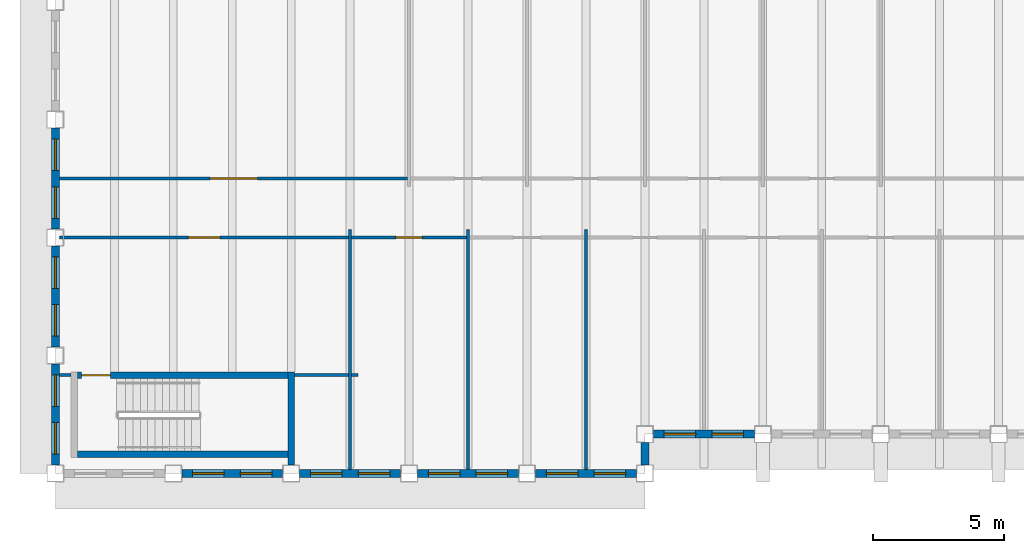
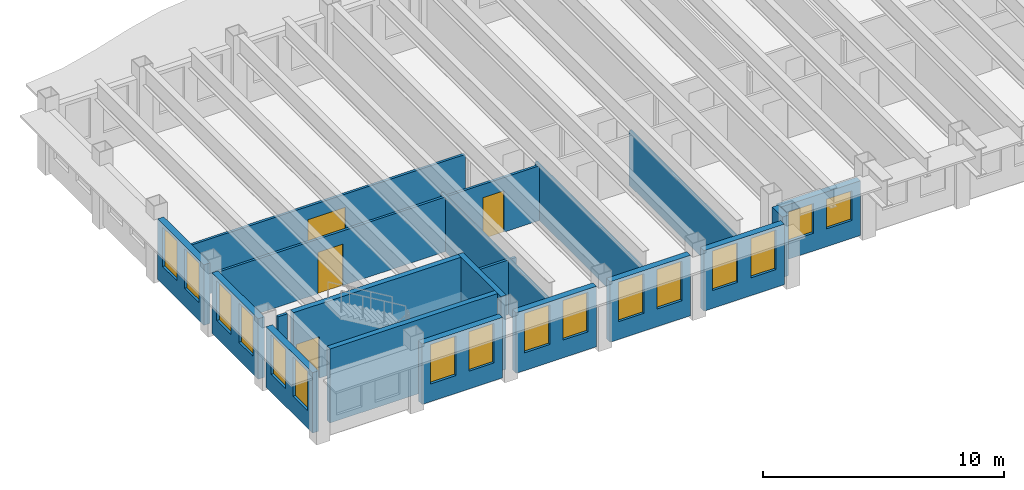
# One storey, part 2 of 12: 21 walls, 16 windows, 4 doors, 20 openings.
"""IFC4 building model written with IfcOpenShell, lengths in metres."""

from ifc_helpers import new_model, si_unit, direction, frame, frame_2d, origin, place, context, subcontext, project, spatial, rectangle, extrude, material, layer, layer_set, type_object, element, fill, save


model = new_model("IFC4")

# Units and contexts
model_context = context("Model", 3, precision=1e-05, world=origin(), true_north=direction((0.0, 1.0)))
body_context = subcontext(model_context, "Body", "Model", "MODEL_VIEW")
ifc_project = project(units=[si_unit("LENGTHUNIT", "METRE"), si_unit("AREAUNIT", "SQUARE_METRE"), si_unit("VOLUMEUNIT", "CUBIC_METRE"), si_unit("PLANEANGLEUNIT", "RADIAN"), si_unit("MASSUNIT", "GRAM", prefix="KILO")], contexts=[model_context])

# Site, building, storey
site_placement = place(None, origin())
site = spatial("IfcSite", under=ifc_project, at=site_placement, CompositionType="ELEMENT")
building_placement = place(site_placement, origin())
building = spatial("IfcBuilding", under=site, at=building_placement, Name="Sennacour Bend Tower", CompositionType="ELEMENT")
storey_placement = place(building_placement, frame((0.0, 0.0, 293.0)))
storey = spatial("IfcBuildingStorey", under=building, at=storey_placement, Name="L68", CompositionType="ELEMENT", Elevation=293.0)

# Walls
ifc_material_1 = material(Name="Plasterboard partition on steel studs", Category="steel")
ifc_layer_1 = layer(ifc_material_1, 0.1201171875, Name="Plasterboard partition on steel studs", Category="steel")
ifc_layer_set_1 = layer_set([ifc_layer_1], Name="Plasterboard partition on steel studs")
wall_type_1 = type_object("IfcWallType", Name="Partition 120", PredefinedType="PARTITIONING", material=ifc_layer_set_1)
for number, where, z_axis, x_axis, name in (
    (1, (11.25, 0.14990234375, 0.0), (0.0, 0.0, 1.0), (0.0, 1.0, 0.0), "P-L68-W004a"),
    (2, (15.75, 0.14990234375, 0.0), (0.0, 0.0, 1.0), (0.0, 1.0, 0.0), "P-L68-W006a"),
    (3, (20.25, 0.14990234375, 0.0), (0.0, 0.0, 1.0), (0.0, 1.0, 0.0), "P-L68-W008a"),
):
    element("IfcWall", number, at=place(storey_placement, frame(where, z_axis=z_axis, x_axis=x_axis)), inside=storey, type_object=wall_type_1, Name=name, PredefinedType="PARTITIONING", context=body_context, shape_type="SweptSolid", body=[
        extrude(rectangle(XDim=9.150146484375, YDim=0.1201171875, at=frame_2d((4.5751953125, 0.0))), origin(), (0.0, 0.0, 1.0), 2.77001953125),
    ])
wall_1_placement = place(storey_placement, frame((0.14990234375, 3.75, 0.0), z_axis=(0.0, 0.0, 1.0), x_axis=(1.0, 0.0, 0.0)))
element("IfcWall", 4, at=wall_1_placement, inside=storey, type_object=wall_type_1, Name="P-L68-W033a", PredefinedType="PARTITIONING", context=body_context, shape_type="SweptSolid", body=[
    extrude(rectangle(XDim=0.4501953125, YDim=0.1201171875, at=frame_2d((0.22509765625, 0.0))), origin(), (0.0, 0.0, 1.0), 3.75),
])
wall_2_placement = place(storey_placement, frame((9.125, 3.75, 0.0), z_axis=(0.0, 0.0, 1.0), x_axis=(1.0, 0.0, 0.0)))
element("IfcWall", 5, at=wall_2_placement, inside=storey, type_object=wall_type_1, Name="P-L68-W035aa", PredefinedType="PARTITIONING", context=body_context, shape_type="SweptSolid", body=[
    extrude(rectangle(XDim=2.06494140625, YDim=0.1201171875, at=frame_2d((1.032470703125, 0.0))), origin(), (0.0, 0.0, 1.0), 2.77001953125),
])
wall_3_placement = place(storey_placement, frame((11.31005859375, 3.75, 0.0), z_axis=(0.0, 0.0, 1.0), x_axis=(1.0, 0.0, 0.0)))
element("IfcWall", 6, at=wall_3_placement, inside=storey, type_object=wall_type_1, Name="P-L68-W035ab", PredefinedType="PARTITIONING", context=body_context, shape_type="SweptSolid", body=[
    extrude(rectangle(XDim=0.239990234375, YDim=0.1201171875, at=frame_2d((0.1201171875, 0.0))), origin(), (0.0, 0.0, 1.0), 2.77001953125),
])

# Wall, opening, door
wall_4_placement = place(storey_placement, frame((11.31005859375, 9.0, 0.0), z_axis=(0.0, 0.0, 1.0), x_axis=(1.0, 0.0, 0.0)))
wall_4 = element("IfcWall", 7, at=wall_4_placement, inside=storey, type_object=wall_type_1, Name="P-L68-W041ab", PredefinedType="PARTITIONING", context=body_context, shape_type="SweptSolid", body=[
    extrude(rectangle(XDim=4.3798828125, YDim=0.1201171875, at=frame_2d((2.18994140625, 0.0))), origin(), (0.0, 0.0, 1.0), 2.77001953125),
])
opening_1_placement = place(wall_4_placement, frame((1.68994140625, 0.0, 0.0)))
opening_1 = element("IfcOpeningElement", 8, at=opening_1_placement, cuts=wall_4, Name="Opening OD2", PredefinedType="OPENING", context=body_context, shape_type="SweptSolid", body=[
    extrude(rectangle(XDim=1.0, YDim=2.10009765625, at=frame_2d((0.5, 1.050048828125))), frame((0.0, 0.070068359375, 0.0), z_axis=(0.0, -1.0, 0.0), x_axis=(1.0, 0.0, 0.0)), (0.0, 0.0, 1.0), 0.14013671875),
])
ifc_material_2 = material(Name="Timber", Category="wood")
door_type_1 = type_object("IfcDoorType", Name="DR-OFFICE-1000", OperationType="NOTDEFINED", PredefinedType="DOOR", material=ifc_material_2)
door_1_placement = place(opening_1_placement, origin())
door_1 = element("IfcDoor", 9, at=door_1_placement, inside=storey, type_object=door_type_1, Name="Door", OperationType="SINGLE_SWING_LEFT", OverallHeight=2.10009765625, OverallWidth=1.0, PredefinedType="DOOR", context=body_context, shape_type="SweptSolid", body=[
    extrude(rectangle(XDim=1.0, YDim=2.10009765625, at=frame_2d((0.5, 1.050048828125))), frame((0.0, 0.02490234375, 0.0), z_axis=(0.0, -1.0, 0.0), x_axis=(1.0, 0.0, 0.0)), (0.0, 0.0, 1.0), 0.050048828125),
])
fill(opening_1, door_1)

wall_5_placement = place(storey_placement, frame((0.14990234375, 11.25, 0.0), z_axis=(0.0, 0.0, 1.0), x_axis=(1.0, 0.0, 0.0)))
wall_5 = element("IfcWall", 10, at=wall_5_placement, inside=storey, type_object=wall_type_1, Name="P-L68-W043aa", PredefinedType="PARTITIONING", context=body_context, shape_type="SweptSolid", body=[
    extrude(rectangle(XDim=13.2900390625, YDim=0.1201171875, at=frame_2d((6.64501953125, 0.0))), origin(), (0.0, 0.0, 1.0), 2.77001953125),
])
opening_2_placement = place(wall_5_placement, frame((5.755126953125, 0.0, 0.0)))
opening_2 = element("IfcOpeningElement", 11, at=opening_2_placement, cuts=wall_5, Name="Opening OD3", PredefinedType="OPENING", context=body_context, shape_type="SweptSolid", body=[
    extrude(rectangle(XDim=1.800048828125, YDim=2.10009765625, at=frame_2d((0.89990234375, 1.050048828125))), frame((0.0, 0.070068359375, 0.0), z_axis=(0.0, -1.0, 0.0), x_axis=(1.0, 0.0, 0.0)), (0.0, 0.0, 1.0), 0.14013671875),
])
door_type_2 = type_object("IfcDoorType", Name="DR-OFFICE-1800", OperationType="NOTDEFINED", PredefinedType="DOOR", material=ifc_material_2)
door_2_placement = place(opening_2_placement, origin())
door_2 = element("IfcDoor", 12, at=door_2_placement, inside=storey, type_object=door_type_2, Name="Door", OperationType="DOUBLE_DOOR_SINGLE_SWING", OverallHeight=2.10009765625, OverallWidth=1.800048828125, PredefinedType="DOOR", context=body_context, shape_type="SweptSolid", body=[
    extrude(rectangle(XDim=1.800048828125, YDim=2.10009765625, at=frame_2d((0.89990234375, 1.050048828125))), frame((0.0, 0.02490234375, 0.0), z_axis=(0.0, -1.0, 0.0), x_axis=(1.0, 0.0, 0.0)), (0.0, 0.0, 1.0), 0.050048828125),
])
fill(opening_2, door_2)

ifc_layer_2 = layer(ifc_material_1, 0.1201171875, Name="Plasterboard partition on steel studs", Category="steel")
ifc_layer_set_2 = layer_set([ifc_layer_2], Name="Plasterboard partition on steel studs")
wall_type_2 = type_object("IfcWallType", Name="Partition 120 EI 30", PredefinedType="PARTITIONING", material=ifc_layer_set_2)
wall_6_placement = place(storey_placement, frame((0.14990234375, 9.0, 0.0), z_axis=(0.0, 0.0, 1.0), x_axis=(1.0, 0.0, 0.0)))
wall_6 = element("IfcWall", 13, at=wall_6_placement, inside=storey, type_object=wall_type_2, Name="P-L68-W041aa", PredefinedType="PARTITIONING", context=body_context, shape_type="SweptSolid", body=[
    extrude(rectangle(XDim=11.0400390625, YDim=0.1201171875, at=frame_2d((5.52001953125, 0.0))), origin(), (0.0, 0.0, 1.0), 2.77001953125),
])
opening_3_placement = place(wall_6_placement, frame((4.93017578125, 0.0, 0.0)))
opening_3 = element("IfcOpeningElement", 14, at=opening_3_placement, cuts=wall_6, Name="Opening KD2", PredefinedType="OPENING", context=body_context, shape_type="SweptSolid", body=[
    extrude(rectangle(XDim=1.199951171875, YDim=2.10009765625, at=frame_2d((0.60009765625, 1.050048828125))), frame((0.0, 0.070068359375, 0.0), z_axis=(0.0, -1.0, 0.0), x_axis=(1.0, 0.0, 0.0)), (0.0, 0.0, 1.0), 0.14013671875),
])
ifc_material_3 = material(Name="Painted steel", Category="steel")
door_type_3 = type_object("IfcDoorType", Name="DR-CORRIDOR-1200", OperationType="NOTDEFINED", PredefinedType="DOOR", material=ifc_material_3)
door_3_placement = place(opening_3_placement, origin())
door_3 = element("IfcDoor", 15, at=door_3_placement, inside=storey, type_object=door_type_3, Name="Door", OperationType="SINGLE_SWING_RIGHT", OverallHeight=2.10009765625, OverallWidth=1.199951171875, PredefinedType="DOOR", context=body_context, shape_type="SweptSolid", body=[
    extrude(rectangle(XDim=1.199951171875, YDim=2.10009765625, at=frame_2d((0.60009765625, 1.050048828125))), frame((0.0, 0.02490234375, 0.0), z_axis=(0.0, -1.0, 0.0), x_axis=(1.0, 0.0, 0.0)), (0.0, 0.0, 1.0), 0.050048828125),
])
fill(opening_3, door_3)

# Wall
ifc_material_4 = material(Name="Warm limestone cladding", Category="masonry")
ifc_layer_3 = layer(ifc_material_4, 0.050048828125, Name="Warm limestone cladding", Category="masonry")
ifc_material_5 = material(Name="Precast concrete C40/50", Category="concrete")
ifc_layer_4 = layer(ifc_material_5, 0.25, Name="Precast concrete C40/50", Category="concrete")
ifc_layer_set_3 = layer_set([ifc_layer_3, ifc_layer_4], Name="Precast concrete C40/50 with limestone cladding")
wall_type_3 = type_object("IfcWallType", Name="STONE-CLAD PRECAST SPANDREL 300", PredefinedType="STANDARD", material=ifc_layer_set_3)
wall_7_placement = place(storey_placement, frame((22.5, 0.324951171875, 0.0), z_axis=(0.0, 0.0, 1.0), x_axis=(0.0, 1.0, 0.0)))
element("IfcWall", 16, at=wall_7_placement, inside=storey, type_object=wall_type_3, Name="Stone spandrel and pier wall L68 00.00", PredefinedType="STANDARD", context=body_context, shape_type="SweptSolid", body=[
    extrude(rectangle(XDim=0.85009765625, YDim=0.300048828125, at=frame_2d((0.425048828125, 0.0))), origin(), (0.0, 0.0, 1.0), 3.06201171875),
])

# Wall, openings, windows
wall_8_placement = place(storey_placement, frame((22.824951171875, 1.5, 0.0), z_axis=(0.0, 0.0, 1.0), x_axis=(1.0, 0.0, 0.0)))
wall_8 = element("IfcWall", 17, at=wall_8_placement, inside=storey, type_object=wall_type_3, Name="Stone spandrel and pier wall L68 01.00", PredefinedType="STANDARD", context=body_context, shape_type="SweptSolid", body=[
    extrude(rectangle(XDim=3.85009765625, YDim=0.300048828125, at=frame_2d((1.925048828125, 0.0))), origin(), (0.0, 0.0, 1.0), 2.77001953125),
])
opening_4_placement = place(wall_8_placement, frame((0.41259765625, 0.0, 0.89990234375)))
opening_4 = element("IfcOpeningElement", 18, at=opening_4_placement, cuts=wall_8, Name="Opening W25", PredefinedType="OPENING", context=body_context, shape_type="SweptSolid", body=[
    extrude(rectangle(XDim=1.199951171875, YDim=1.5, at=frame_2d((0.60009765625, 0.75))), frame((0.0, 0.16015625, 0.0), z_axis=(0.0, -1.0, 0.0), x_axis=(1.0, 0.0, 0.0)), (0.0, 0.0, 1.0), 0.320068359375),
])
opening_5_placement = place(wall_8_placement, frame((2.237548828125, 0.0, 0.89990234375)))
opening_5 = element("IfcOpeningElement", 19, at=opening_5_placement, cuts=wall_8, Name="Opening W25", PredefinedType="OPENING", context=body_context, shape_type="SweptSolid", body=[
    extrude(rectangle(XDim=1.199951171875, YDim=1.5, at=frame_2d((0.60009765625, 0.75))), frame((0.0, 0.16015625, 0.0), z_axis=(0.0, -1.0, 0.0), x_axis=(1.0, 0.0, 0.0)), (0.0, 0.0, 1.0), 0.320068359375),
])
ifc_material_6 = material(Name="Clear low-emissivity glass", Category="glass")
window_type_1 = type_object("IfcWindowType", Name="WIN-RIBBON-1200x1500", PartitioningType="SINGLE_PANEL", PredefinedType="WINDOW", material=ifc_material_6)
window_1_placement = place(opening_4_placement, origin())
window_1 = element("IfcWindow", 20, at=window_1_placement, inside=storey, type_object=window_type_1, Name="Ribbon window L68 01.00.0", OverallHeight=1.5, OverallWidth=1.199951171875, PartitioningType="SINGLE_PANEL", PredefinedType="WINDOW", context=body_context, shape_type="SweptSolid", body=[
    extrude(rectangle(XDim=1.199951171875, YDim=1.5, at=frame_2d((0.60009765625, 0.75))), frame((0.0, 0.030029296875, 0.0), z_axis=(0.0, -1.0, 0.0), x_axis=(1.0, 0.0, 0.0)), (0.0, 0.0, 1.0), 0.06005859375),
])
fill(opening_4, window_1)
window_2_placement = place(opening_5_placement, origin())
window_2 = element("IfcWindow", 21, at=window_2_placement, inside=storey, type_object=window_type_1, Name="Ribbon window L68 01.00.1", OverallHeight=1.5, OverallWidth=1.199951171875, PartitioningType="SINGLE_PANEL", PredefinedType="WINDOW", context=body_context, shape_type="SweptSolid", body=[
    extrude(rectangle(XDim=1.199951171875, YDim=1.5, at=frame_2d((0.60009765625, 0.75))), frame((0.0, 0.030029296875, 0.0), z_axis=(0.0, -1.0, 0.0), x_axis=(1.0, 0.0, 0.0)), (0.0, 0.0, 1.0), 0.06005859375),
])
fill(opening_5, window_2)

wall_9_placement = place(storey_placement, frame((0.0, 13.175048828125, 0.0), z_axis=(0.0, 0.0, 1.0), x_axis=(0.0, -1.0, 0.0)))
wall_9 = element("IfcWall", 22, at=wall_9_placement, inside=storey, type_object=wall_type_3, Name="Stone spandrel and pier wall L68 10.02", PredefinedType="STANDARD", context=body_context, shape_type="SweptSolid", body=[
    extrude(rectangle(XDim=3.85009765625, YDim=0.300048828125, at=frame_2d((1.925048828125, 0.0))), origin(), (0.0, 0.0, 1.0), 3.06201171875),
])
opening_6_placement = place(wall_9_placement, frame((0.41259765625, 0.0, 0.89990234375)))
opening_6 = element("IfcOpeningElement", 23, at=opening_6_placement, cuts=wall_9, Name="Opening W14", PredefinedType="OPENING", context=body_context, shape_type="SweptSolid", body=[
    extrude(rectangle(XDim=1.199951171875, YDim=2.0, at=frame_2d((0.60009765625, 1.0))), frame((0.0, 0.16015625, 0.0), z_axis=(0.0, -1.0, 0.0), x_axis=(1.0, 0.0, 0.0)), (0.0, 0.0, 1.0), 0.320068359375),
])
opening_7_placement = place(wall_9_placement, frame((2.237548828125, 0.0, 0.89990234375)))
opening_7 = element("IfcOpeningElement", 24, at=opening_7_placement, cuts=wall_9, Name="Opening W14", PredefinedType="OPENING", context=body_context, shape_type="SweptSolid", body=[
    extrude(rectangle(XDim=1.199951171875, YDim=2.0, at=frame_2d((0.60009765625, 1.0))), frame((0.0, 0.16015625, 0.0), z_axis=(0.0, -1.0, 0.0), x_axis=(1.0, 0.0, 0.0)), (0.0, 0.0, 1.0), 0.320068359375),
])
window_type_2 = type_object("IfcWindowType", Name="WIN-RIBBON-1200x2000", PartitioningType="SINGLE_PANEL", PredefinedType="WINDOW", material=ifc_material_6)
window_3_placement = place(opening_6_placement, origin())
window_3 = element("IfcWindow", 25, at=window_3_placement, inside=storey, type_object=window_type_2, Name="Ribbon window L68 10.02.0", OverallHeight=2.0, OverallWidth=1.199951171875, PartitioningType="SINGLE_PANEL", PredefinedType="WINDOW", context=body_context, shape_type="SweptSolid", body=[
    extrude(rectangle(XDim=1.199951171875, YDim=2.0, at=frame_2d((0.60009765625, 1.0))), frame((0.0, 0.030029296875, 0.0), z_axis=(0.0, -1.0, 0.0), x_axis=(1.0, 0.0, 0.0)), (0.0, 0.0, 1.0), 0.06005859375),
])
fill(opening_6, window_3)
window_4_placement = place(opening_7_placement, origin())
window_4 = element("IfcWindow", 26, at=window_4_placement, inside=storey, type_object=window_type_2, Name="Ribbon window L68 10.02.1", OverallHeight=2.0, OverallWidth=1.199951171875, PartitioningType="SINGLE_PANEL", PredefinedType="WINDOW", context=body_context, shape_type="SweptSolid", body=[
    extrude(rectangle(XDim=1.199951171875, YDim=2.0, at=frame_2d((0.60009765625, 1.0))), frame((0.0, 0.030029296875, 0.0), z_axis=(0.0, -1.0, 0.0), x_axis=(1.0, 0.0, 0.0)), (0.0, 0.0, 1.0), 0.06005859375),
])
fill(opening_7, window_4)

wall_10_placement = place(storey_placement, frame((0.0, 8.675048828125, 0.0), z_axis=(0.0, 0.0, 1.0), x_axis=(0.0, -1.0, 0.0)))
wall_10 = element("IfcWall", 27, at=wall_10_placement, inside=storey, type_object=wall_type_3, Name="Stone spandrel and pier wall L68 10.03", PredefinedType="STANDARD", context=body_context, shape_type="SweptSolid", body=[
    extrude(rectangle(XDim=3.85009765625, YDim=0.300048828125, at=frame_2d((1.925048828125, 0.0))), origin(), (0.0, 0.0, 1.0), 3.06201171875),
])
opening_8_placement = place(wall_10_placement, frame((0.41259765625, 0.0, 0.89990234375)))
opening_8 = element("IfcOpeningElement", 28, at=opening_8_placement, cuts=wall_10, Name="Opening W14", PredefinedType="OPENING", context=body_context, shape_type="SweptSolid", body=[
    extrude(rectangle(XDim=1.199951171875, YDim=2.0, at=frame_2d((0.60009765625, 1.0))), frame((0.0, 0.16015625, 0.0), z_axis=(0.0, -1.0, 0.0), x_axis=(1.0, 0.0, 0.0)), (0.0, 0.0, 1.0), 0.320068359375),
])
opening_9_placement = place(wall_10_placement, frame((2.237548828125, 0.0, 0.89990234375)))
opening_9 = element("IfcOpeningElement", 29, at=opening_9_placement, cuts=wall_10, Name="Opening W14", PredefinedType="OPENING", context=body_context, shape_type="SweptSolid", body=[
    extrude(rectangle(XDim=1.199951171875, YDim=2.0, at=frame_2d((0.60009765625, 1.0))), frame((0.0, 0.16015625, 0.0), z_axis=(0.0, -1.0, 0.0), x_axis=(1.0, 0.0, 0.0)), (0.0, 0.0, 1.0), 0.320068359375),
])
window_5_placement = place(opening_8_placement, origin())
window_5 = element("IfcWindow", 30, at=window_5_placement, inside=storey, type_object=window_type_2, Name="Ribbon window L68 10.03.0", OverallHeight=2.0, OverallWidth=1.199951171875, PartitioningType="SINGLE_PANEL", PredefinedType="WINDOW", context=body_context, shape_type="SweptSolid", body=[
    extrude(rectangle(XDim=1.199951171875, YDim=2.0, at=frame_2d((0.60009765625, 1.0))), frame((0.0, 0.030029296875, 0.0), z_axis=(0.0, -1.0, 0.0), x_axis=(1.0, 0.0, 0.0)), (0.0, 0.0, 1.0), 0.06005859375),
])
fill(opening_8, window_5)
window_6_placement = place(opening_9_placement, origin())
window_6 = element("IfcWindow", 31, at=window_6_placement, inside=storey, type_object=window_type_2, Name="Ribbon window L68 10.03.1", OverallHeight=2.0, OverallWidth=1.199951171875, PartitioningType="SINGLE_PANEL", PredefinedType="WINDOW", context=body_context, shape_type="SweptSolid", body=[
    extrude(rectangle(XDim=1.199951171875, YDim=2.0, at=frame_2d((0.60009765625, 1.0))), frame((0.0, 0.030029296875, 0.0), z_axis=(0.0, -1.0, 0.0), x_axis=(1.0, 0.0, 0.0)), (0.0, 0.0, 1.0), 0.06005859375),
])
fill(opening_9, window_6)

wall_11_placement = place(storey_placement, frame((0.0, 4.175048828125, 0.0), z_axis=(0.0, 0.0, 1.0), x_axis=(0.0, -1.0, 0.0)))
wall_11 = element("IfcWall", 32, at=wall_11_placement, inside=storey, type_object=wall_type_3, Name="Stone spandrel and pier wall L68 10.04", PredefinedType="STANDARD", context=body_context, shape_type="SweptSolid", body=[
    extrude(rectangle(XDim=3.85009765625, YDim=0.300048828125, at=frame_2d((1.925048828125, 0.0))), origin(), (0.0, 0.0, 1.0), 3.06201171875),
])
opening_10_placement = place(wall_11_placement, frame((0.41259765625, 0.0, 0.89990234375)))
opening_10 = element("IfcOpeningElement", 33, at=opening_10_placement, cuts=wall_11, Name="Opening W14", PredefinedType="OPENING", context=body_context, shape_type="SweptSolid", body=[
    extrude(rectangle(XDim=1.199951171875, YDim=2.0, at=frame_2d((0.60009765625, 1.0))), frame((0.0, 0.16015625, 0.0), z_axis=(0.0, -1.0, 0.0), x_axis=(1.0, 0.0, 0.0)), (0.0, 0.0, 1.0), 0.320068359375),
])
opening_11_placement = place(wall_11_placement, frame((2.237548828125, 0.0, 0.89990234375)))
opening_11 = element("IfcOpeningElement", 34, at=opening_11_placement, cuts=wall_11, Name="Opening W14", PredefinedType="OPENING", context=body_context, shape_type="SweptSolid", body=[
    extrude(rectangle(XDim=1.199951171875, YDim=2.0, at=frame_2d((0.60009765625, 1.0))), frame((0.0, 0.16015625, 0.0), z_axis=(0.0, -1.0, 0.0), x_axis=(1.0, 0.0, 0.0)), (0.0, 0.0, 1.0), 0.320068359375),
])
window_7_placement = place(opening_10_placement, origin())
window_7 = element("IfcWindow", 35, at=window_7_placement, inside=storey, type_object=window_type_2, Name="Ribbon window L68 10.04.0", OverallHeight=2.0, OverallWidth=1.199951171875, PartitioningType="SINGLE_PANEL", PredefinedType="WINDOW", context=body_context, shape_type="SweptSolid", body=[
    extrude(rectangle(XDim=1.199951171875, YDim=2.0, at=frame_2d((0.60009765625, 1.0))), frame((0.0, 0.030029296875, 0.0), z_axis=(0.0, -1.0, 0.0), x_axis=(1.0, 0.0, 0.0)), (0.0, 0.0, 1.0), 0.06005859375),
])
fill(opening_10, window_7)
window_8_placement = place(opening_11_placement, origin())
window_8 = element("IfcWindow", 36, at=window_8_placement, inside=storey, type_object=window_type_2, Name="Ribbon window L68 10.04.1", OverallHeight=2.0, OverallWidth=1.199951171875, PartitioningType="SINGLE_PANEL", PredefinedType="WINDOW", context=body_context, shape_type="SweptSolid", body=[
    extrude(rectangle(XDim=1.199951171875, YDim=2.0, at=frame_2d((0.60009765625, 1.0))), frame((0.0, 0.030029296875, 0.0), z_axis=(0.0, -1.0, 0.0), x_axis=(1.0, 0.0, 0.0)), (0.0, 0.0, 1.0), 0.06005859375),
])
fill(opening_11, window_8)

wall_12_placement = place(storey_placement, frame((4.824951171875, 0.0, 0.0), z_axis=(0.0, 0.0, 1.0), x_axis=(1.0, 0.0, 0.0)))
wall_12 = element("IfcWall", 37, at=wall_12_placement, inside=storey, type_object=wall_type_3, Name="Stone spandrel and pier wall L68 11.01", PredefinedType="STANDARD", context=body_context, shape_type="SweptSolid", body=[
    extrude(rectangle(XDim=3.85009765625, YDim=0.300048828125, at=frame_2d((1.925048828125, 0.0))), origin(), (0.0, 0.0, 1.0), 3.06201171875),
])
opening_12_placement = place(wall_12_placement, frame((0.41259765625, 0.0, 0.89990234375)))
opening_12 = element("IfcOpeningElement", 38, at=opening_12_placement, cuts=wall_12, Name="Opening W14", PredefinedType="OPENING", context=body_context, shape_type="SweptSolid", body=[
    extrude(rectangle(XDim=1.199951171875, YDim=2.0, at=frame_2d((0.60009765625, 1.0))), frame((0.0, 0.16015625, 0.0), z_axis=(0.0, -1.0, 0.0), x_axis=(1.0, 0.0, 0.0)), (0.0, 0.0, 1.0), 0.320068359375),
])
opening_13_placement = place(wall_12_placement, frame((2.237548828125, 0.0, 0.89990234375)))
opening_13 = element("IfcOpeningElement", 39, at=opening_13_placement, cuts=wall_12, Name="Opening W14", PredefinedType="OPENING", context=body_context, shape_type="SweptSolid", body=[
    extrude(rectangle(XDim=1.199951171875, YDim=2.0, at=frame_2d((0.60009765625, 1.0))), frame((0.0, 0.16015625, 0.0), z_axis=(0.0, -1.0, 0.0), x_axis=(1.0, 0.0, 0.0)), (0.0, 0.0, 1.0), 0.320068359375),
])
window_9_placement = place(opening_12_placement, origin())
window_9 = element("IfcWindow", 40, at=window_9_placement, inside=storey, type_object=window_type_2, Name="Ribbon window L68 11.01.0", OverallHeight=2.0, OverallWidth=1.199951171875, PartitioningType="SINGLE_PANEL", PredefinedType="WINDOW", context=body_context, shape_type="SweptSolid", body=[
    extrude(rectangle(XDim=1.199951171875, YDim=2.0, at=frame_2d((0.60009765625, 1.0))), frame((0.0, 0.030029296875, 0.0), z_axis=(0.0, -1.0, 0.0), x_axis=(1.0, 0.0, 0.0)), (0.0, 0.0, 1.0), 0.06005859375),
])
fill(opening_12, window_9)
window_10_placement = place(opening_13_placement, origin())
window_10 = element("IfcWindow", 41, at=window_10_placement, inside=storey, type_object=window_type_2, Name="Ribbon window L68 11.01.1", OverallHeight=2.0, OverallWidth=1.199951171875, PartitioningType="SINGLE_PANEL", PredefinedType="WINDOW", context=body_context, shape_type="SweptSolid", body=[
    extrude(rectangle(XDim=1.199951171875, YDim=2.0, at=frame_2d((0.60009765625, 1.0))), frame((0.0, 0.030029296875, 0.0), z_axis=(0.0, -1.0, 0.0), x_axis=(1.0, 0.0, 0.0)), (0.0, 0.0, 1.0), 0.06005859375),
])
fill(opening_13, window_10)

wall_13_placement = place(storey_placement, frame((9.324951171875, 0.0, 0.0), z_axis=(0.0, 0.0, 1.0), x_axis=(1.0, 0.0, 0.0)))
wall_13 = element("IfcWall", 42, at=wall_13_placement, inside=storey, type_object=wall_type_3, Name="Stone spandrel and pier wall L68 11.02", PredefinedType="STANDARD", context=body_context, shape_type="SweptSolid", body=[
    extrude(rectangle(XDim=3.85009765625, YDim=0.300048828125, at=frame_2d((1.925048828125, 0.0))), origin(), (0.0, 0.0, 1.0), 3.06201171875),
])
opening_14_placement = place(wall_13_placement, frame((0.41259765625, 0.0, 0.89990234375)))
opening_14 = element("IfcOpeningElement", 43, at=opening_14_placement, cuts=wall_13, Name="Opening W14", PredefinedType="OPENING", context=body_context, shape_type="SweptSolid", body=[
    extrude(rectangle(XDim=1.199951171875, YDim=2.0, at=frame_2d((0.60009765625, 1.0))), frame((0.0, 0.16015625, 0.0), z_axis=(0.0, -1.0, 0.0), x_axis=(1.0, 0.0, 0.0)), (0.0, 0.0, 1.0), 0.320068359375),
])
opening_15_placement = place(wall_13_placement, frame((2.237548828125, 0.0, 0.89990234375)))
opening_15 = element("IfcOpeningElement", 44, at=opening_15_placement, cuts=wall_13, Name="Opening W14", PredefinedType="OPENING", context=body_context, shape_type="SweptSolid", body=[
    extrude(rectangle(XDim=1.199951171875, YDim=2.0, at=frame_2d((0.60009765625, 1.0))), frame((0.0, 0.16015625, 0.0), z_axis=(0.0, -1.0, 0.0), x_axis=(1.0, 0.0, 0.0)), (0.0, 0.0, 1.0), 0.320068359375),
])
window_11_placement = place(opening_14_placement, origin())
window_11 = element("IfcWindow", 45, at=window_11_placement, inside=storey, type_object=window_type_2, Name="Ribbon window L68 11.02.0", OverallHeight=2.0, OverallWidth=1.199951171875, PartitioningType="SINGLE_PANEL", PredefinedType="WINDOW", context=body_context, shape_type="SweptSolid", body=[
    extrude(rectangle(XDim=1.199951171875, YDim=2.0, at=frame_2d((0.60009765625, 1.0))), frame((0.0, 0.030029296875, 0.0), z_axis=(0.0, -1.0, 0.0), x_axis=(1.0, 0.0, 0.0)), (0.0, 0.0, 1.0), 0.06005859375),
])
fill(opening_14, window_11)
window_12_placement = place(opening_15_placement, origin())
window_12 = element("IfcWindow", 46, at=window_12_placement, inside=storey, type_object=window_type_2, Name="Ribbon window L68 11.02.1", OverallHeight=2.0, OverallWidth=1.199951171875, PartitioningType="SINGLE_PANEL", PredefinedType="WINDOW", context=body_context, shape_type="SweptSolid", body=[
    extrude(rectangle(XDim=1.199951171875, YDim=2.0, at=frame_2d((0.60009765625, 1.0))), frame((0.0, 0.030029296875, 0.0), z_axis=(0.0, -1.0, 0.0), x_axis=(1.0, 0.0, 0.0)), (0.0, 0.0, 1.0), 0.06005859375),
])
fill(opening_15, window_12)

wall_14_placement = place(storey_placement, frame((13.824951171875, 0.0, 0.0), z_axis=(0.0, 0.0, 1.0), x_axis=(1.0, 0.0, 0.0)))
wall_14 = element("IfcWall", 47, at=wall_14_placement, inside=storey, type_object=wall_type_3, Name="Stone spandrel and pier wall L68 11.03", PredefinedType="STANDARD", context=body_context, shape_type="SweptSolid", body=[
    extrude(rectangle(XDim=3.85009765625, YDim=0.300048828125, at=frame_2d((1.925048828125, 0.0))), origin(), (0.0, 0.0, 1.0), 3.06201171875),
])
opening_16_placement = place(wall_14_placement, frame((0.41259765625, 0.0, 0.89990234375)))
opening_16 = element("IfcOpeningElement", 48, at=opening_16_placement, cuts=wall_14, Name="Opening W14", PredefinedType="OPENING", context=body_context, shape_type="SweptSolid", body=[
    extrude(rectangle(XDim=1.199951171875, YDim=2.0, at=frame_2d((0.60009765625, 1.0))), frame((0.0, 0.16015625, 0.0), z_axis=(0.0, -1.0, 0.0), x_axis=(1.0, 0.0, 0.0)), (0.0, 0.0, 1.0), 0.320068359375),
])
opening_17_placement = place(wall_14_placement, frame((2.237548828125, 0.0, 0.89990234375)))
opening_17 = element("IfcOpeningElement", 49, at=opening_17_placement, cuts=wall_14, Name="Opening W14", PredefinedType="OPENING", context=body_context, shape_type="SweptSolid", body=[
    extrude(rectangle(XDim=1.199951171875, YDim=2.0, at=frame_2d((0.60009765625, 1.0))), frame((0.0, 0.16015625, 0.0), z_axis=(0.0, -1.0, 0.0), x_axis=(1.0, 0.0, 0.0)), (0.0, 0.0, 1.0), 0.320068359375),
])
window_13_placement = place(opening_16_placement, origin())
window_13 = element("IfcWindow", 50, at=window_13_placement, inside=storey, type_object=window_type_2, Name="Ribbon window L68 11.03.0", OverallHeight=2.0, OverallWidth=1.199951171875, PartitioningType="SINGLE_PANEL", PredefinedType="WINDOW", context=body_context, shape_type="SweptSolid", body=[
    extrude(rectangle(XDim=1.199951171875, YDim=2.0, at=frame_2d((0.60009765625, 1.0))), frame((0.0, 0.030029296875, 0.0), z_axis=(0.0, -1.0, 0.0), x_axis=(1.0, 0.0, 0.0)), (0.0, 0.0, 1.0), 0.06005859375),
])
fill(opening_16, window_13)
window_14_placement = place(opening_17_placement, origin())
window_14 = element("IfcWindow", 51, at=window_14_placement, inside=storey, type_object=window_type_2, Name="Ribbon window L68 11.03.1", OverallHeight=2.0, OverallWidth=1.199951171875, PartitioningType="SINGLE_PANEL", PredefinedType="WINDOW", context=body_context, shape_type="SweptSolid", body=[
    extrude(rectangle(XDim=1.199951171875, YDim=2.0, at=frame_2d((0.60009765625, 1.0))), frame((0.0, 0.030029296875, 0.0), z_axis=(0.0, -1.0, 0.0), x_axis=(1.0, 0.0, 0.0)), (0.0, 0.0, 1.0), 0.06005859375),
])
fill(opening_17, window_14)

wall_15_placement = place(storey_placement, frame((18.324951171875, 0.0, 0.0), z_axis=(0.0, 0.0, 1.0), x_axis=(1.0, 0.0, 0.0)))
wall_15 = element("IfcWall", 52, at=wall_15_placement, inside=storey, type_object=wall_type_3, Name="Stone spandrel and pier wall L68 11.04", PredefinedType="STANDARD", context=body_context, shape_type="SweptSolid", body=[
    extrude(rectangle(XDim=3.85009765625, YDim=0.300048828125, at=frame_2d((1.925048828125, 0.0))), origin(), (0.0, 0.0, 1.0), 3.06201171875),
])
opening_18_placement = place(wall_15_placement, frame((0.41259765625, 0.0, 0.89990234375)))
opening_18 = element("IfcOpeningElement", 53, at=opening_18_placement, cuts=wall_15, Name="Opening W14", PredefinedType="OPENING", context=body_context, shape_type="SweptSolid", body=[
    extrude(rectangle(XDim=1.199951171875, YDim=2.0, at=frame_2d((0.60009765625, 1.0))), frame((0.0, 0.16015625, 0.0), z_axis=(0.0, -1.0, 0.0), x_axis=(1.0, 0.0, 0.0)), (0.0, 0.0, 1.0), 0.320068359375),
])
opening_19_placement = place(wall_15_placement, frame((2.237548828125, 0.0, 0.89990234375)))
opening_19 = element("IfcOpeningElement", 54, at=opening_19_placement, cuts=wall_15, Name="Opening W14", PredefinedType="OPENING", context=body_context, shape_type="SweptSolid", body=[
    extrude(rectangle(XDim=1.199951171875, YDim=2.0, at=frame_2d((0.60009765625, 1.0))), frame((0.0, 0.16015625, 0.0), z_axis=(0.0, -1.0, 0.0), x_axis=(1.0, 0.0, 0.0)), (0.0, 0.0, 1.0), 0.320068359375),
])
window_15_placement = place(opening_18_placement, origin())
window_15 = element("IfcWindow", 55, at=window_15_placement, inside=storey, type_object=window_type_2, Name="Ribbon window L68 11.04.0", OverallHeight=2.0, OverallWidth=1.199951171875, PartitioningType="SINGLE_PANEL", PredefinedType="WINDOW", context=body_context, shape_type="SweptSolid", body=[
    extrude(rectangle(XDim=1.199951171875, YDim=2.0, at=frame_2d((0.60009765625, 1.0))), frame((0.0, 0.030029296875, 0.0), z_axis=(0.0, -1.0, 0.0), x_axis=(1.0, 0.0, 0.0)), (0.0, 0.0, 1.0), 0.06005859375),
])
fill(opening_18, window_15)
window_16_placement = place(opening_19_placement, origin())
window_16 = element("IfcWindow", 56, at=window_16_placement, inside=storey, type_object=window_type_2, Name="Ribbon window L68 11.04.1", OverallHeight=2.0, OverallWidth=1.199951171875, PartitioningType="SINGLE_PANEL", PredefinedType="WINDOW", context=body_context, shape_type="SweptSolid", body=[
    extrude(rectangle(XDim=1.199951171875, YDim=2.0, at=frame_2d((0.60009765625, 1.0))), frame((0.0, 0.030029296875, 0.0), z_axis=(0.0, -1.0, 0.0), x_axis=(1.0, 0.0, 0.0)), (0.0, 0.0, 1.0), 0.06005859375),
])
fill(opening_19, window_16)

# Walls
ifc_material_7 = material(Name="Concrete C60/75", Category="concrete")
ifc_layer_5 = layer(ifc_material_7, 0.25, Name="Concrete C60/75", Category="concrete")
ifc_layer_set_4 = layer_set([ifc_layer_5], Name="Concrete C60/75")
wall_type_4 = type_object("IfcWallType", Name="Stair wall 250", PredefinedType="SHEAR", material=ifc_layer_set_4)
wall_16_placement = place(storey_placement, frame((9.0, 0.324951171875, 0.0), z_axis=(0.0, 0.0, 1.0), x_axis=(0.0, 1.0, 0.0)))
element("IfcWall", 57, at=wall_16_placement, inside=storey, type_object=wall_type_4, Name="P-L68-W003", PredefinedType="SHEAR", context=body_context, shape_type="SweptSolid", body=[
    extrude(rectangle(XDim=3.550048828125, YDim=0.25, at=frame_2d((1.77490234375, 0.0))), origin(), (0.0, 0.0, 1.0), 3.75),
])
wall_17_placement = place(storey_placement, frame((0.85009765625, 0.72509765625, 0.0), z_axis=(0.0, 0.0, 1.0), x_axis=(1.0, 0.0, 0.0)))
element("IfcWall", 58, at=wall_17_placement, inside=storey, type_object=wall_type_4, Name="P-L68-W031", PredefinedType="SHEAR", context=body_context, shape_type="SweptSolid", body=[
    extrude(rectangle(XDim=8.02490234375, YDim=0.25, at=frame_2d((4.012451171875, 0.0))), origin(), (0.0, 0.0, 1.0), 3.75),
])

# Wall, opening, door
wall_18_placement = place(storey_placement, frame((0.85009765625, 3.75, 0.0), z_axis=(0.0, 0.0, 1.0), x_axis=(1.0, 0.0, 0.0)))
wall_18 = element("IfcWall", 59, at=wall_18_placement, inside=storey, type_object=wall_type_4, Name="P-L68-W034", PredefinedType="SHEAR", context=body_context, shape_type="SweptSolid", body=[
    extrude(rectangle(XDim=8.02490234375, YDim=0.25, at=frame_2d((4.012451171875, 0.0))), origin(), (0.0, 0.0, 1.0), 3.75),
])
opening_20_placement = place(wall_18_placement, frame((0.14990234375, 0.0, 0.0)))
opening_20 = element("IfcOpeningElement", 60, at=opening_20_placement, cuts=wall_18, Name="Opening SD", PredefinedType="OPENING", context=body_context, shape_type="SweptSolid", body=[
    extrude(rectangle(XDim=1.10009765625, YDim=2.10009765625, at=frame_2d((0.550048828125, 1.050048828125))), frame((0.0, 0.135009765625, 0.0), z_axis=(0.0, -1.0, 0.0), x_axis=(1.0, 0.0, 0.0)), (0.0, 0.0, 1.0), 0.27001953125),
])
door_type_4 = type_object("IfcDoorType", Name="DR-STAIR-1100", OperationType="NOTDEFINED", PredefinedType="DOOR", material=ifc_material_3)
door_4_placement = place(opening_20_placement, origin())
door_4 = element("IfcDoor", 61, at=door_4_placement, inside=storey, type_object=door_type_4, Name="Door", OperationType="SINGLE_SWING_LEFT", OverallHeight=2.10009765625, OverallWidth=1.10009765625, PredefinedType="DOOR", context=body_context, shape_type="SweptSolid", body=[
    extrude(rectangle(XDim=1.10009765625, YDim=2.10009765625, at=frame_2d((0.550048828125, 1.050048828125))), frame((0.0, 0.02490234375, 0.0), z_axis=(0.0, -1.0, 0.0), x_axis=(1.0, 0.0, 0.0)), (0.0, 0.0, 1.0), 0.050048828125),
])
fill(opening_20, door_4)

save(model, "model.ifc")
